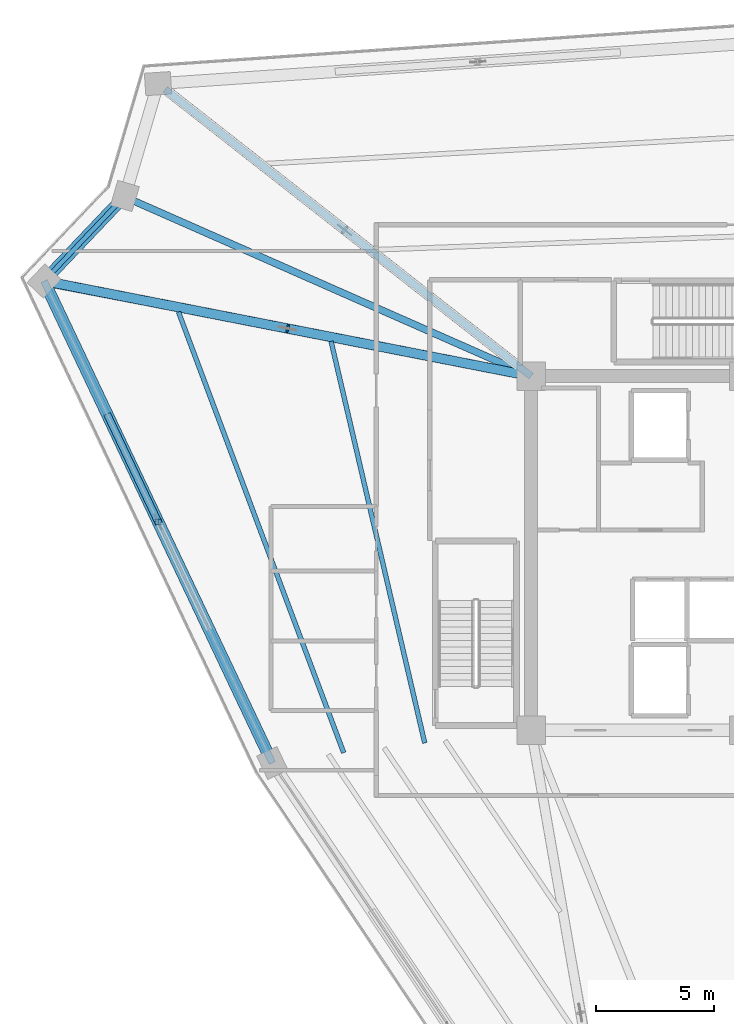
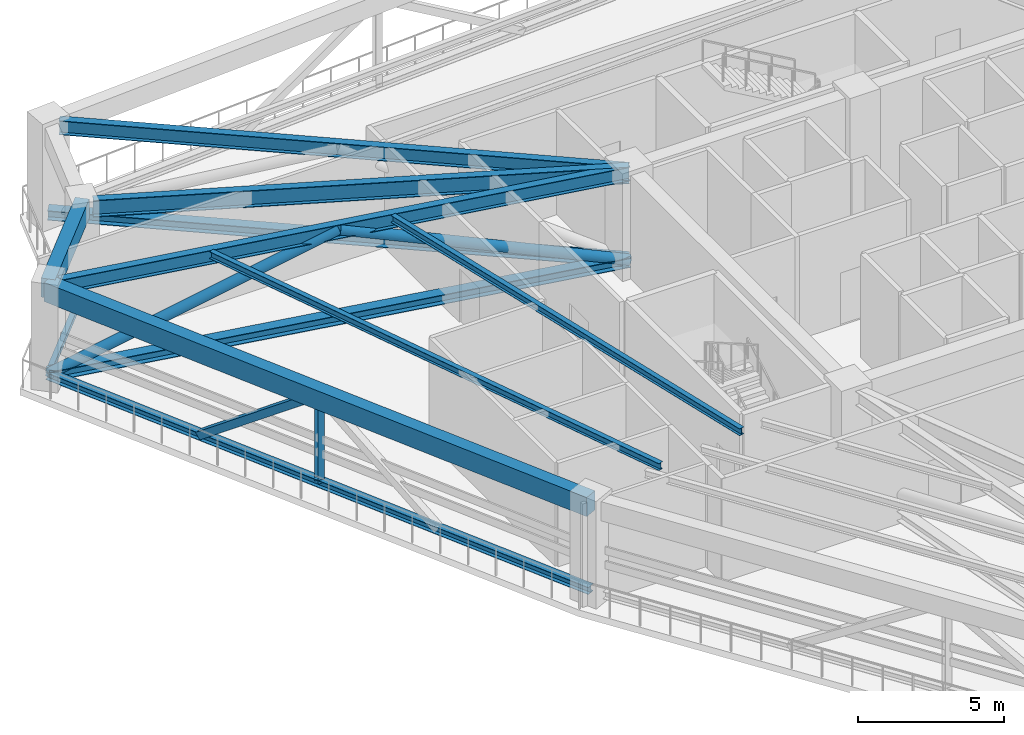
# One storey, part 6 of 22: 8 members, 7 beams.
"""IFC4 building model written with IfcOpenShell, lengths in metres."""

from ifc_helpers import new_model, si_unit, direction, frame, origin, origin_2d, place, context, subcontext, project, spatial, rectangle, hollow_rectangle, hollow_circle, i_section, extrude, source, transform, mapped, material, material_profile, profile_set, type_object, element, save


model = new_model("IFC4")

# Units and contexts
model_context = context("Model", 3, precision=1e-05, world=origin(), true_north=direction((0.0, 1.0)))
body_context = subcontext(model_context, "Body", "Model", "MODEL_VIEW")
ifc_project = project(units=[si_unit("LENGTHUNIT", "METRE"), si_unit("AREAUNIT", "SQUARE_METRE"), si_unit("VOLUMEUNIT", "CUBIC_METRE"), si_unit("PLANEANGLEUNIT", "RADIAN"), si_unit("MASSUNIT", "GRAM", prefix="KILO")], contexts=[model_context])

# Site, building, storey
site_placement = place(None, origin())
site = spatial("IfcSite", under=ifc_project, at=site_placement, CompositionType="ELEMENT")
building_placement = place(site_placement, origin())
building = spatial("IfcBuilding", under=site, at=building_placement, Name="Liaohun Quay Tower", CompositionType="ELEMENT")
storey_placement = place(building_placement, frame((0.0, 0.0, 324.0)))
storey = spatial("IfcBuildingStorey", under=building, at=storey_placement, Name="L84", CompositionType="ELEMENT", Elevation=324.0)

# Member
ifc_material_1 = material(Name="Steel Q355D", Category="steel")
ifc_material_profile_1 = material_profile(ifc_material_1, i_section(OverallWidth=0.25, OverallDepth=0.25, WebThickness=0.009033203125, FlangeThickness=0.013916015625, at=origin_2d()), Name="HW250x250x9x14")
ifc_profile_set_1 = profile_set([ifc_material_profile_1], Name="Steel Q355D")
member_type_1 = type_object("IfcMemberType", Name="MEM-BLT-PST", PredefinedType="POST", material=ifc_profile_set_1)
shared_shape_1 = source(origin(), body_context, "Body", "SweptSolid", [
    extrude(i_section(OverallWidth=0.25, OverallDepth=0.25, WebThickness=0.009033203125, FlangeThickness=0.013916015625, at=origin_2d()), origin(), (0.0, 0.0, 1.0), 3.669921875),
])
member_1_placement = place(storey_placement, frame((35.199951171875, 55.322021484375, 0.35009765625), z_axis=(0.0, 0.0, 1.0), x_axis=(1.0, 0.0, 0.0)))
element("IfcMember", 1, at=member_1_placement, inside=storey, type_object=member_type_1, Name="L84 Belt Truss Vertical Post BP-1-02", PredefinedType="POST", context=body_context, shape_type="MappedRepresentation", body=[
    mapped(shared_shape_1, transform((0.0, 0.0, 0.0), x_axis=(1.0, 0.0, 0.0), y_axis=(0.0, 1.0, 0.0), z_axis=(0.0, 0.0, 1.0), scale=1.0)),
])

# Beams
ifc_material_2 = material(Name="Precast concrete C50", Category="concrete")
ifc_material_profile_2 = material_profile(ifc_material_2, rectangle(XDim=0.5, YDim=0.800048828125, at=origin_2d()), Name="RC500x800")
ifc_profile_set_2 = profile_set([ifc_material_profile_2], Name="Precast concrete C50")
beam_type_1 = type_object("IfcBeamType", Name="BM-SPD-Z4", PredefinedType="SPANDREL", material=ifc_profile_set_2)
shared_shape_2 = source(origin(), body_context, "Body", "SweptSolid", [
    extrude(rectangle(XDim=0.5, YDim=0.800048828125, at=origin_2d()), origin(), (0.0, 0.0, 1.0), 22.59423828125),
])
beam_1_placement = place(storey_placement, frame((40.034912109375, 45.112060546875, 3.919921875), z_axis=(-0.428025031447, 0.903766879486, 0.0), x_axis=(-0.903766879486, -0.428025031447, 0.0)))
element("IfcBeam", 2, at=beam_1_placement, inside=storey, type_object=beam_type_1, Name="L84 Precast Spandrel Beam PC02-PC03", PredefinedType="SPANDREL", context=body_context, shape_type="MappedRepresentation", body=[
    mapped(shared_shape_2, transform((0.0, 0.0, 0.0), x_axis=(1.0, 0.0, 0.0), y_axis=(0.0, 1.0, 0.0), z_axis=(0.0, 0.0, 1.0), scale=1.0)),
])
shared_shape_3 = source(origin(), body_context, "Body", "SweptSolid", [
    extrude(rectangle(XDim=0.5, YDim=0.800048828125, at=origin_2d()), origin(), (0.0, 0.0, 1.0), 4.9697265625),
])
beam_2_placement = place(storey_placement, frame((30.364013671875, 65.531982421875, 3.919921875), z_axis=(0.689376666304, 0.724403072851, 0.0), x_axis=(-0.724403072851, 0.689376666304, 0.0)))
element("IfcBeam", 3, at=beam_2_placement, inside=storey, type_object=beam_type_1, Name="L84 Precast Spandrel Beam PC03-PC04", PredefinedType="SPANDREL", context=body_context, shape_type="MappedRepresentation", body=[
    mapped(shared_shape_3, transform((0.0, 0.0, 0.0), x_axis=(1.0, 0.0, 0.0), y_axis=(0.0, 1.0, 0.0), z_axis=(0.0, 0.0, 1.0), scale=1.0)),
])
ifc_material_profile_3 = material_profile(ifc_material_1, i_section(OverallWidth=0.300048828125, OverallDepth=0.587890625, WebThickness=0.011962890625, FlangeThickness=0.02001953125, at=origin_2d()), Name="HM588x300x12x20")
ifc_profile_set_3 = profile_set([ifc_material_profile_3], Name="Steel Q355D")
beam_type_2 = type_object("IfcBeamType", Name="BM-RAD-U2", PredefinedType="BEAM", material=ifc_profile_set_3)
shared_shape_4 = source(origin(), body_context, "Body", "SweptSolid", [
    extrude(i_section(OverallWidth=0.300048828125, OverallDepth=0.587890625, WebThickness=0.011962890625, FlangeThickness=0.02001953125, at=origin_2d()), origin(), (0.0, 0.0, 1.0), 20.643310546875),
])
beam_3_placement = place(storey_placement, frame((51.0, 61.5, 4.02587890625), z_axis=(-0.982056519371, 0.188586830823, 0.0), x_axis=(-0.188586830823, -0.982056519371, 0.0)))
element("IfcBeam", 4, at=beam_3_placement, inside=storey, type_object=beam_type_2, Name="L84 Radial Primary Girder CC6-PC03", PredefinedType="BEAM", context=body_context, shape_type="MappedRepresentation", body=[
    mapped(shared_shape_4, transform((0.0, 0.0, 0.0), x_axis=(1.0, 0.0, 0.0), y_axis=(0.0, 1.0, 0.0), z_axis=(0.0, 0.0, 1.0), scale=1.0)),
])
ifc_material_profile_4 = material_profile(ifc_material_1, i_section(OverallWidth=0.300048828125, OverallDepth=0.699951171875, WebThickness=0.012939453125, FlangeThickness=0.02392578125, at=origin_2d()), Name="HN700x300x13x24")
ifc_profile_set_4 = profile_set([ifc_material_profile_4], Name="Steel Q355D")
beam_type_3 = type_object("IfcBeamType", Name="BM-RAD-U1", PredefinedType="BEAM", material=ifc_profile_set_4)
shared_shape_5 = source(origin(), body_context, "Body", "SweptSolid", [
    extrude(i_section(OverallWidth=0.300048828125, OverallDepth=0.699951171875, WebThickness=0.012939453125, FlangeThickness=0.02392578125, at=origin_2d()), origin(), (0.0, 0.0, 1.0), 18.460205078125),
])
beam_4_placement = place(storey_placement, frame((51.0, 61.5, 3.969970703125), z_axis=(-0.91499707752, 0.403460466625, 0.0), x_axis=(-0.403460466625, -0.91499707752, 0.0)))
element("IfcBeam", 5, at=beam_4_placement, inside=storey, type_object=beam_type_3, Name="L84 Radial Primary Girder CC6-PC04", PredefinedType="BEAM", context=body_context, shape_type="MappedRepresentation", body=[
    mapped(shared_shape_5, transform((0.0, 0.0, 0.0), x_axis=(1.0, 0.0, 0.0), y_axis=(0.0, 1.0, 0.0), z_axis=(0.0, 0.0, 1.0), scale=1.0)),
])
shared_shape_6 = source(origin(), body_context, "Body", "SweptSolid", [
    extrude(i_section(OverallWidth=0.300048828125, OverallDepth=0.587890625, WebThickness=0.011962890625, FlangeThickness=0.02001953125, at=origin_2d()), origin(), (0.0, 0.0, 1.0), 19.697509765625),
])
beam_5_placement = place(storey_placement, frame((51.0, 61.5, 4.02587890625), z_axis=(-0.78721511685, 0.616678489817, 0.0), x_axis=(-0.616678489817, -0.78721511685, 0.0)))
element("IfcBeam", 6, at=beam_5_placement, inside=storey, type_object=beam_type_2, Name="L84 Radial Primary Girder CC6-PC05", PredefinedType="BEAM", context=body_context, shape_type="MappedRepresentation", body=[
    mapped(shared_shape_6, transform((0.0, 0.0, 0.0), x_axis=(1.0, 0.0, 0.0), y_axis=(0.0, 1.0, 0.0), z_axis=(0.0, 0.0, 1.0), scale=1.0)),
])
ifc_material_profile_5 = material_profile(ifc_material_1, i_section(OverallWidth=0.199951171875, OverallDepth=0.2939453125, WebThickness=0.008056640625, FlangeThickness=0.011962890625, at=origin_2d()), Name="HM294x200x8x12")
ifc_profile_set_5 = profile_set([ifc_material_profile_5], Name="Steel Q355D")
beam_type_4 = type_object("IfcBeamType", Name="BM-SEC-J4", PredefinedType="JOIST", material=ifc_profile_set_5)
shared_shape_7 = source(origin(), body_context, "Body", "SweptSolid", [
    extrude(i_section(OverallWidth=0.199951171875, OverallDepth=0.2939453125, WebThickness=0.008056640625, FlangeThickness=0.011962890625, at=origin_2d()), origin(), (0.0, 0.0, 1.0), 17.47265625),
])
beam_6_placement = place(storey_placement, frame((46.490966796875, 45.958984375, 4.173095703125), z_axis=(-0.227098867626, 0.973871708349, 0.0), x_axis=(-0.973871708349, -0.227098867626, 0.0)))
element("IfcBeam", 7, at=beam_6_placement, inside=storey, type_object=beam_type_4, Name="L84 Wing Secondary Floor Joist SJ-04", PredefinedType="JOIST", context=body_context, shape_type="MappedRepresentation", body=[
    mapped(shared_shape_7, transform((0.0, 0.0, 0.0), x_axis=(1.0, 0.0, 0.0), y_axis=(0.0, 1.0, 0.0), z_axis=(0.0, 0.0, 1.0), scale=1.0)),
])
shared_shape_8 = source(origin(), body_context, "Body", "SweptSolid", [
    extrude(i_section(OverallWidth=0.199951171875, OverallDepth=0.2939453125, WebThickness=0.008056640625, FlangeThickness=0.011962890625, at=origin_2d()), origin(), (0.0, 0.0, 1.0), 19.935791015625),
])
beam_7_placement = place(storey_placement, frame((43.055908203125, 45.548095703125, 4.173095703125), z_axis=(-0.350919439098, 0.936405653156, 0.0), x_axis=(-0.936405653156, -0.350919439098, 0.0)))
element("IfcBeam", 8, at=beam_7_placement, inside=storey, type_object=beam_type_4, Name="L84 Wing Secondary Floor Joist SJ-05", PredefinedType="JOIST", context=body_context, shape_type="MappedRepresentation", body=[
    mapped(shared_shape_8, transform((0.0, 0.0, 0.0), x_axis=(1.0, 0.0, 0.0), y_axis=(0.0, 1.0, 0.0), z_axis=(0.0, 0.0, 1.0), scale=1.0)),
])

# Members
ifc_material_3 = material(Name="Steel Q420D", Category="steel")
ifc_material_profile_6 = material_profile(ifc_material_3, i_section(OverallWidth=0.407958984375, OverallDepth=0.39990234375, WebThickness=0.02099609375, FlangeThickness=0.02099609375, at=origin_2d()), Name="HW400x408x21x21")
ifc_profile_set_6 = profile_set([ifc_material_profile_6], Name="Steel Q420D")
member_type_2 = type_object("IfcMemberType", Name="MEM-OUT-CH2", PredefinedType="CHORD", material=ifc_profile_set_6)
shared_shape_9 = source(origin(), body_context, "Body", "SweptSolid", [
    extrude(i_section(OverallWidth=0.407958984375, OverallDepth=0.39990234375, WebThickness=0.02099609375, FlangeThickness=0.02099609375, at=origin_2d()), origin(), (0.0, 0.0, 1.0), 21.026123046875),
])
member_2_placement = place(storey_placement, frame((51.0, 61.5, 0.35009765625), z_axis=(-0.981441852871, 0.191759978706, 0.0), x_axis=(-0.191759978706, -0.981441852871, 0.0)))
element("IfcMember", 9, at=member_2_placement, inside=storey, type_object=member_type_2, Name="L84 Outrigger Bottom Chord OC-02", PredefinedType="CHORD", context=body_context, shape_type="MappedRepresentation", body=[
    mapped(shared_shape_9, transform((0.0, 0.0, 0.0), x_axis=(1.0, 0.0, 0.0), y_axis=(0.0, 1.0, 0.0), z_axis=(0.0, 0.0, 1.0), scale=1.0)),
])
ifc_material_profile_7 = material_profile(ifc_material_3, hollow_circle(Radius=0.202880859375, WallThickness=0.01611328125, at=origin_2d()), Name="CHS406x16")
ifc_profile_set_7 = profile_set([ifc_material_profile_7], Name="Steel Q420D")
member_type_3 = type_object("IfcMemberType", Name="MEM-OUT-DG2", PredefinedType="BRACE", material=ifc_profile_set_7)
shared_shape_10 = source(origin(), body_context, "Body", "SweptSolid", [
    extrude(hollow_circle(Radius=0.202880859375, WallThickness=0.01611328125, at=origin_2d()), origin(), (0.0, 0.0, 1.0), 11.13525390625),
])
member_3_placement = place(storey_placement, frame((51.0, 61.5, 0.35009765625), z_axis=(-0.926607024324, 0.18105484246, 0.329573309742), x_axis=(-0.191768977615, -0.981440094567, 0.0)))
element("IfcMember", 10, at=member_3_placement, inside=storey, type_object=member_type_3, Name="L84 Outrigger Diagonal OD-02A", PredefinedType="BRACE", context=body_context, shape_type="MappedRepresentation", body=[
    mapped(shared_shape_10, transform((0.0, 0.0, 0.0), x_axis=(1.0, 0.0, 0.0), y_axis=(0.0, 1.0, 0.0), z_axis=(0.0, 0.0, 1.0), scale=1.0)),
])
shared_shape_11 = source(origin(), body_context, "Body", "SweptSolid", [
    extrude(hollow_circle(Radius=0.202880859375, WallThickness=0.01611328125, at=origin_2d()), origin(), (0.0, 0.0, 1.0), 11.135009765625),
])
member_4_placement = place(storey_placement, frame((40.681884765625, 63.51611328125, 4.02001953125), z_axis=(-0.926607602263, 0.18103731418, -0.329581313644), x_axis=(-0.191750979537, -0.98144361114, 0.0)))
element("IfcMember", 11, at=member_4_placement, inside=storey, type_object=member_type_3, Name="L84 Outrigger Diagonal OD-02B", PredefinedType="BRACE", context=body_context, shape_type="MappedRepresentation", body=[
    mapped(shared_shape_11, transform((0.0, 0.0, 0.0), x_axis=(1.0, 0.0, 0.0), y_axis=(0.0, 1.0, 0.0), z_axis=(0.0, 0.0, 1.0), scale=1.0)),
])
shared_shape_12 = source(origin(), body_context, "Body", "SweptSolid", [
    extrude(i_section(OverallWidth=0.407958984375, OverallDepth=0.39990234375, WebThickness=0.02099609375, FlangeThickness=0.02099609375, at=origin_2d()), origin(), (0.0, 0.0, 1.0), 20.084716796875),
])
member_5_placement = place(storey_placement, frame((51.0, 61.5, 0.35009765625), z_axis=(-0.787009177391, 0.61694128951, 0.0), x_axis=(-0.61694128951, -0.787009177391, 0.0)))
element("IfcMember", 12, at=member_5_placement, inside=storey, type_object=member_type_2, Name="L84 Outrigger Bottom Chord OC-03", PredefinedType="CHORD", context=body_context, shape_type="MappedRepresentation", body=[
    mapped(shared_shape_12, transform((0.0, 0.0, 0.0), x_axis=(1.0, 0.0, 0.0), y_axis=(0.0, 1.0, 0.0), z_axis=(0.0, 0.0, 1.0), scale=1.0)),
])
ifc_material_profile_8 = material_profile(ifc_material_1, i_section(OverallWidth=0.300048828125, OverallDepth=0.300048828125, WebThickness=0.010009765625, FlangeThickness=0.014892578125, at=origin_2d()), Name="HW300x300x10x15")
ifc_profile_set_8 = profile_set([ifc_material_profile_8], Name="Steel Q355D")
member_type_4 = type_object("IfcMemberType", Name="MEM-BLT-CHD", PredefinedType="CHORD", material=ifc_profile_set_8)
shared_shape_13 = source(origin(), body_context, "Body", "SweptSolid", [
    extrude(i_section(OverallWidth=0.300048828125, OverallDepth=0.300048828125, WebThickness=0.010009765625, FlangeThickness=0.014892578125, at=origin_2d()), origin(), (0.0, 0.0, 1.0), 22.59423828125),
])
member_6_placement = place(storey_placement, frame((40.034912109375, 45.112060546875, 0.35009765625), z_axis=(-0.428025031447, 0.903766879486, 0.0), x_axis=(-0.903766879486, -0.428025031447, 0.0)))
element("IfcMember", 13, at=member_6_placement, inside=storey, type_object=member_type_4, Name="L84 Belt Truss Bottom Chord BC-1-02", PredefinedType="CHORD", context=body_context, shape_type="MappedRepresentation", body=[
    mapped(shared_shape_13, transform((0.0, 0.0, 0.0), x_axis=(1.0, 0.0, 0.0), y_axis=(0.0, 1.0, 0.0), z_axis=(0.0, 0.0, 1.0), scale=1.0)),
])
ifc_material_profile_9 = material_profile(ifc_material_1, hollow_rectangle(XDim=0.300048828125, YDim=0.300048828125, WallThickness=0.013916015625, at=origin_2d()), Name="SHS300x300x14")
ifc_profile_set_9 = profile_set([ifc_material_profile_9], Name="Steel Q355D")
member_type_5 = type_object("IfcMemberType", Name="MEM-BLT-DG3", PredefinedType="BRACE", material=ifc_profile_set_9)
shared_shape_14 = source(origin(), body_context, "Body", "SweptSolid", [
    extrude(hollow_rectangle(XDim=0.300048828125, YDim=0.300048828125, WallThickness=0.013916015625, at=origin_2d()), origin(), (0.0, 0.0, 1.0), 6.178466796875),
])
member_7_placement = place(storey_placement, frame((35.199951171875, 55.322021484375, 4.02001953125), z_axis=(-0.344408316388, 0.727027146997, -0.593981850843), x_axis=(-0.903724836614, -0.428113792919, 0.0)))
element("IfcMember", 14, at=member_7_placement, inside=storey, type_object=member_type_5, Name="L84 Belt Truss Diagonal BD-02B", PredefinedType="BRACE", context=body_context, shape_type="MappedRepresentation", body=[
    mapped(shared_shape_14, transform((0.0, 0.0, 0.0), x_axis=(1.0, 0.0, 0.0), y_axis=(0.0, 1.0, 0.0), z_axis=(0.0, 0.0, 1.0), scale=1.0)),
])
ifc_material_profile_10 = material_profile(ifc_material_1, i_section(OverallWidth=0.199951171875, OverallDepth=0.199951171875, WebThickness=0.008056640625, FlangeThickness=0.011962890625, at=origin_2d()), Name="HW200x200x8x12")
ifc_profile_set_10 = profile_set([ifc_material_profile_10], Name="Steel Q355D")
member_type_6 = type_object("IfcMemberType", Name="MEM-HDR-TRM", PredefinedType="STUD", material=ifc_profile_set_10)
shared_shape_15 = source(origin(), body_context, "Body", "SweptSolid", [
    extrude(i_section(OverallWidth=0.199951171875, OverallDepth=0.199951171875, WebThickness=0.008056640625, FlangeThickness=0.011962890625, at=origin_2d()), origin(), (0.0, 0.0, 1.0), 4.9697265625),
])
member_8_placement = place(storey_placement, frame((30.364013671875, 65.531982421875, 0.35009765625), z_axis=(0.689376666304, 0.724403072851, 0.0), x_axis=(-0.724403072851, 0.689376666304, 0.0)))
element("IfcMember", 15, at=member_8_placement, inside=storey, type_object=member_type_6, Name="L84 Refuge Notch Header Tie Stud HT-1-01", PredefinedType="STUD", context=body_context, shape_type="MappedRepresentation", body=[
    mapped(shared_shape_15, transform((0.0, 0.0, 0.0), x_axis=(1.0, 0.0, 0.0), y_axis=(0.0, 1.0, 0.0), z_axis=(0.0, 0.0, 1.0), scale=1.0)),
])

save(model, "model.ifc")
